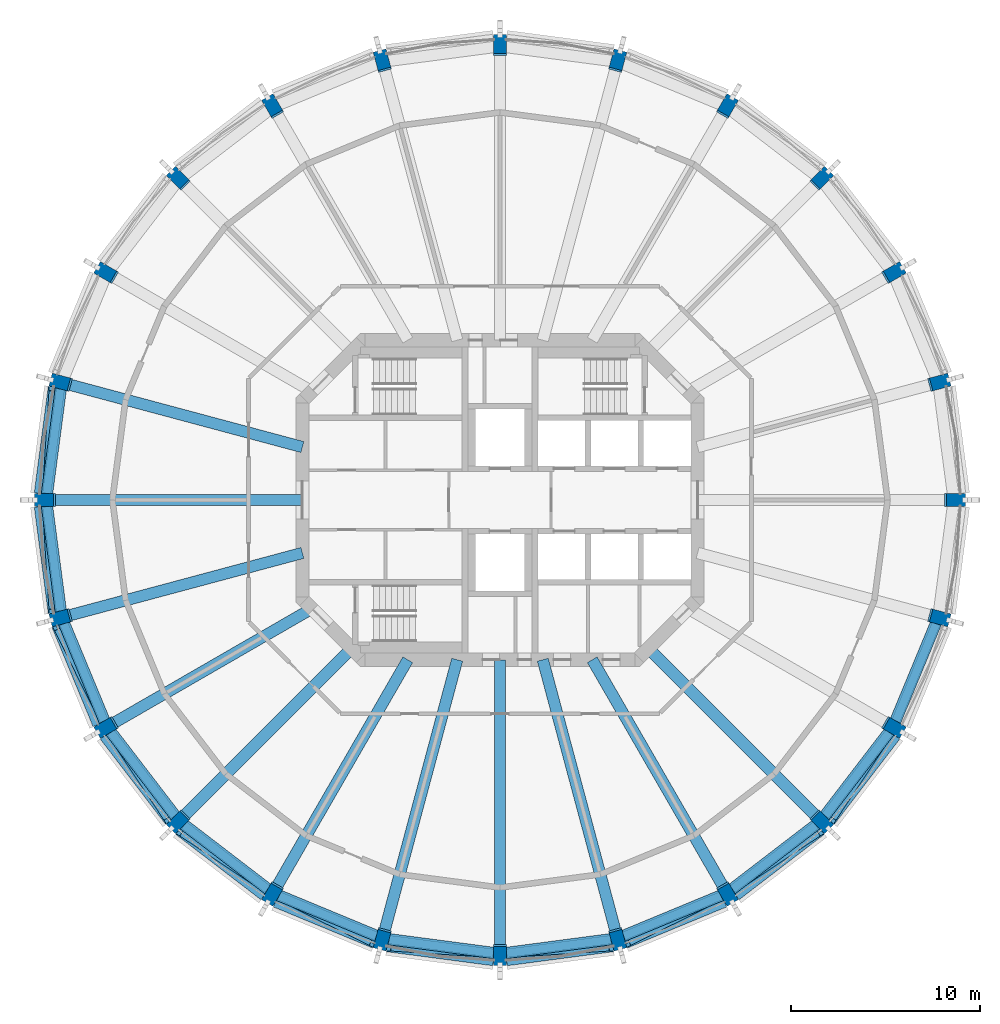
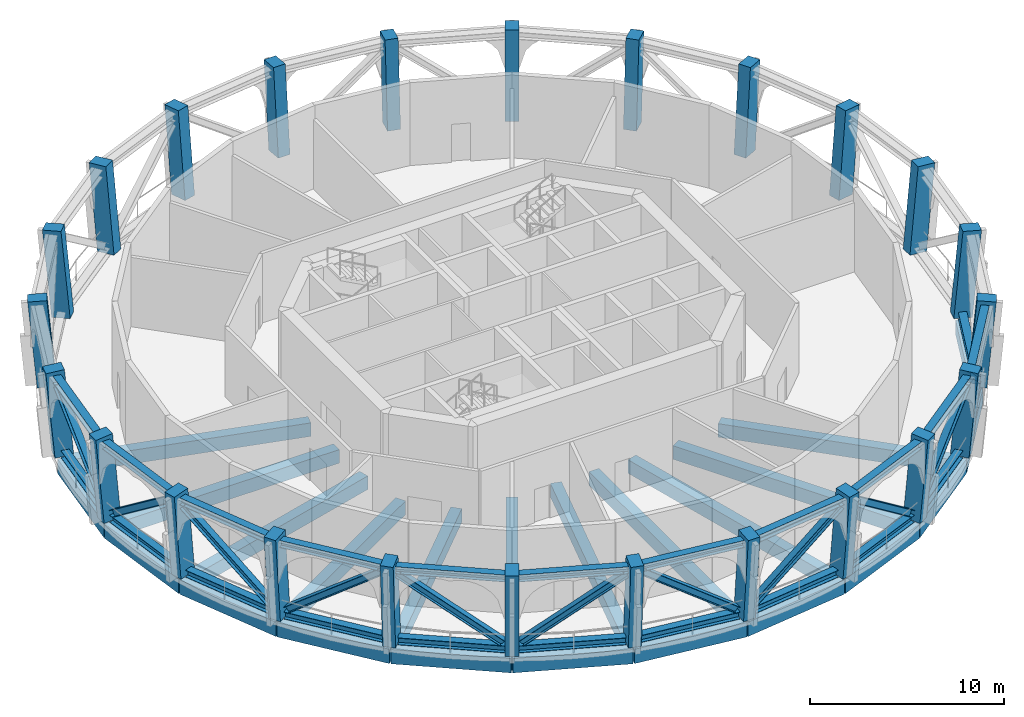
# One storey, part 1 of 9: 34 members, 24 columns, 23 beams.
"""IFC4 building model written with IfcOpenShell, lengths in metres."""

from ifc_helpers import new_model, si_unit, direction, frame, origin, origin_2d, place, context, subcontext, project, spatial, rectangle, i_section, extrude, material, material_profile, profile_set, type_object, element, save


model = new_model("IFC4")

# Units and contexts
model_context = context("Model", 3, precision=1e-05, world=origin(), true_north=direction((0.0, 1.0)))
body_context = subcontext(model_context, "Body", "Model", "MODEL_VIEW")
ifc_project = project(units=[si_unit("LENGTHUNIT", "METRE"), si_unit("AREAUNIT", "SQUARE_METRE"), si_unit("VOLUMEUNIT", "CUBIC_METRE"), si_unit("PLANEANGLEUNIT", "RADIAN"), si_unit("MASSUNIT", "GRAM", prefix="KILO")], contexts=[model_context])

# Site, building, storey
site_placement = place(None, origin())
site = spatial("IfcSite", under=ifc_project, at=site_placement, CompositionType="ELEMENT")
building_placement = place(site_placement, origin())
building = spatial("IfcBuilding", under=site, at=building_placement, Name="Torre Triforio", CompositionType="ELEMENT")
storey_placement = place(building_placement, frame((0.0, 0.0, 248.300048828125)))
storey = spatial("IfcBuildingStorey", under=building, at=storey_placement, Name="L57", CompositionType="ELEMENT", Elevation=248.300048828125)

# Columns
ifc_material_1 = material(Name="Concrete C50", Category="concrete")
ifc_material_profile_1 = material_profile(ifc_material_1, rectangle(XDim=0.699951171875, YDim=1.0, at=origin_2d()), Name="RC 700x1000")
ifc_profile_set_1 = profile_set([ifc_material_profile_1], Name="Concrete C50")
column_type = type_object("IfcColumnType", Name="Pier RC 700x1000 C50", PredefinedType="COLUMN", material=ifc_profile_set_1)
for number, where, z_axis, x_axis, name in (
    (1, (24.004150390625, 0.0, 0.045166015625), (0.090523588196, 0.0, 0.995894311652), (0.0, 1.0, 0.0), "COL.R.L57.00"),
    (2, (23.186279296875, 6.212646484375, 0.045166015625), (0.087422294551, 0.023462435864, 0.995895002758), (-0.259207652095, 0.965821615566, 0.0), "COL.R.L57.01"),
    (3, (20.7880859375, 12.001953125, 0.045166015625), (0.07843241344, 0.045306517334, 0.995889389445), (-0.500194922027, 0.865912836248, 0.0), "COL.R.L57.02"),
    (4, (16.973388671875, 16.973388671875, 0.045166015625), (0.064049381648, 0.064049381648, 0.995889227485), (-0.707106781187, 0.707106781187, 0.0), "COL.R.L57.03"),
    (5, (12.001953125, 20.7880859375, 0.045166015625), (0.045306517334, 0.07843241344, 0.995889389445), (-0.865912836248, 0.500194922027, 0.0), "COL.R.L57.04"),
    (6, (6.212646484375, 23.186279296875, 0.045166015625), (0.023462435864, 0.087422294551, 0.995895002758), (-0.965821615566, 0.259207652095, 0.0), "COL.R.L57.05"),
    (7, (0.0, 24.004150390625, 0.045166015625), (0.0, 0.090523588196, 0.995894311652), (-1.0, 0.0, 0.0), "COL.R.L57.06"),
    (8, (-6.212646484375, 23.186279296875, 0.045166015625), (-0.023462435864, 0.087422294551, 0.995895002758), (-0.965821615566, -0.259207652095, 0.0), "COL.R.L57.07"),
    (9, (-12.001953125, 20.7880859375, 0.045166015625), (-0.045306517334, 0.07843241344, 0.995889389445), (-0.865912836248, -0.500194922027, 0.0), "COL.R.L57.08"),
    (10, (-16.973388671875, 16.973388671875, 0.045166015625), (-0.064049381648, 0.064049381648, 0.995889227485), (-0.707106781187, -0.707106781187, 0.0), "COL.R.L57.09"),
    (11, (-20.7880859375, 12.001953125, 0.045166015625), (-0.07843241344, 0.045306517334, 0.995889389445), (-0.500194922027, -0.865912836248, 0.0), "COL.R.L57.10"),
    (12, (-23.186279296875, 6.212646484375, 0.045166015625), (-0.087422294551, 0.023462435864, 0.995895002758), (-0.259207652095, -0.965821615566, 0.0), "COL.R.L57.11"),
    (13, (-24.004150390625, 0.0, 0.045166015625), (-0.090523588196, 0.0, 0.995894311652), (0.0, -1.0, 0.0), "COL.R.L57.12"),
    (14, (-23.186279296875, -6.212646484375, 0.045166015625), (-0.087422294551, -0.023462435864, 0.995895002758), (0.259207652095, -0.965821615566, 0.0), "COL.R.L57.13"),
    (15, (-20.7880859375, -12.001953125, 0.045166015625), (-0.07843241344, -0.045306517334, 0.995889389445), (0.500194922027, -0.865912836248, 0.0), "COL.R.L57.14"),
    (16, (-16.973388671875, -16.973388671875, 0.045166015625), (-0.064049381648, -0.064049381648, 0.995889227485), (0.707106781187, -0.707106781187, 0.0), "COL.R.L57.15"),
    (17, (-12.001953125, -20.7880859375, 0.045166015625), (-0.045306517334, -0.07843241344, 0.995889389445), (0.865912836248, -0.500194922027, 0.0), "COL.R.L57.16"),
    (18, (-6.212646484375, -23.186279296875, 0.045166015625), (-0.023462435864, -0.087422294551, 0.995895002758), (0.965821615566, -0.259207652095, 0.0), "COL.R.L57.17"),
    (19, (0.0, -24.004150390625, 0.045166015625), (0.0, -0.090523588196, 0.995894311652), (1.0, 0.0, 0.0), "COL.R.L57.18"),
    (20, (6.212646484375, -23.186279296875, 0.045166015625), (0.023462435864, -0.087422294551, 0.995895002758), (0.965821615566, 0.259207652095, 0.0), "COL.R.L57.19"),
    (21, (12.001953125, -20.7880859375, 0.045166015625), (0.045306517334, -0.07843241344, 0.995889389445), (0.865912836248, 0.500194922027, 0.0), "COL.R.L57.20"),
    (22, (16.973388671875, -16.973388671875, 0.045166015625), (0.064049381648, -0.064049381648, 0.995889227485), (0.707106781187, 0.707106781187, 0.0), "COL.R.L57.21"),
    (23, (20.7880859375, -12.001953125, 0.045166015625), (0.07843241344, -0.045306517334, 0.995889389445), (0.500194922027, 0.865912836248, 0.0), "COL.R.L57.22"),
    (24, (23.186279296875, -6.212646484375, 0.045166015625), (0.087422294551, -0.023462435864, 0.995895002758), (0.259207652095, 0.965821615566, 0.0), "COL.R.L57.23"),
):
    element("IfcColumn", number, at=place(storey_placement, frame(where, z_axis=z_axis, x_axis=x_axis)), inside=storey, type_object=column_type, Name=name, PredefinedType="COLUMN", context=body_context, shape_type="SweptSolid", body=[
        extrude(rectangle(XDim=0.699951171875, YDim=1.0, at=origin_2d()), origin(), (0.0, 0.0, 1.0), 5.431640625),
    ])

# Members
ifc_material_2 = material(Name="Steel ASTM A572 Gr 50", Category="steel")
ifc_material_profile_2 = material_profile(ifc_material_2, i_section(OverallWidth=0.449951171875, OverallDepth=0.449951171875, WebThickness=0.01611328125, FlangeThickness=0.0224609375, at=origin_2d()), Name="CS 450x209")
ifc_profile_set_2 = profile_set([ifc_material_profile_2], Name="Steel ASTM A572 Gr 50")
member_type_1 = type_object("IfcMemberType", Name="Belt truss chord CS 450x209", PredefinedType="CHORD", material=ifc_profile_set_2)
member_1_placement = place(storey_placement, frame((-23.248046875, 5.866943359375, 0.224853515625), z_axis=(-0.130528284424, -0.991444585928, 0.0), x_axis=(0.991444585928, -0.130528284424, 0.0)))
element("IfcMember", 25, at=member_1_placement, inside=storey, type_object=member_type_1, Name="BT.L57.11.CB", PredefinedType="CHORD", context=body_context, shape_type="SweptSolid", body=[
    extrude(i_section(OverallWidth=0.449951171875, OverallDepth=0.449951171875, WebThickness=0.01611328125, FlangeThickness=0.0224609375, at=origin_2d()), origin(), (0.0, 0.0, 1.0), 5.564453125),
])
member_2_placement = place(storey_placement, frame((-23.6669921875, 5.979248046875, 4.994873046875), z_axis=(-0.130504566698, -0.991447708188, 0.0), x_axis=(0.991447708188, -0.130504566698, 0.0)))
element("IfcMember", 26, at=member_2_placement, inside=storey, type_object=member_type_1, Name="BT.L57.11.CT", PredefinedType="CHORD", context=body_context, shape_type="SweptSolid", body=[
    extrude(i_section(OverallWidth=0.449951171875, OverallDepth=0.449951171875, WebThickness=0.01611328125, FlangeThickness=0.0224609375, at=origin_2d()), origin(), (0.0, 0.0, 1.0), 5.677734375),
])
member_3_placement = place(storey_placement, frame((-23.974365234375, -0.35009765625, 0.224853515625), z_axis=(0.130528284424, -0.991444585928, 0.0), x_axis=(0.991444585928, 0.130528284424, 0.0)))
element("IfcMember", 27, at=member_3_placement, inside=storey, type_object=member_type_1, Name="BT.L57.12.CB", PredefinedType="CHORD", context=body_context, shape_type="SweptSolid", body=[
    extrude(i_section(OverallWidth=0.449951171875, OverallDepth=0.449951171875, WebThickness=0.01611328125, FlangeThickness=0.0224609375, at=origin_2d()), origin(), (0.0, 0.0, 1.0), 5.564453125),
])
member_4_placement = place(storey_placement, frame((-24.407958984375, -0.35009765625, 4.994873046875), z_axis=(0.130504566698, -0.991447708188, 0.0), x_axis=(0.991447708188, 0.130504566698, 0.0)))
element("IfcMember", 28, at=member_4_placement, inside=storey, type_object=member_type_1, Name="BT.L57.12.CT", PredefinedType="CHORD", context=body_context, shape_type="SweptSolid", body=[
    extrude(i_section(OverallWidth=0.449951171875, OverallDepth=0.449951171875, WebThickness=0.01611328125, FlangeThickness=0.0224609375, at=origin_2d()), origin(), (0.0, 0.0, 1.0), 5.677734375),
])
member_5_placement = place(storey_placement, frame((-23.06689453125, -6.543212890625, 0.224853515625), z_axis=(0.382679875266, -0.923881005902, 0.0), x_axis=(0.923881005902, 0.382679875266, 0.0)))
element("IfcMember", 29, at=member_5_placement, inside=storey, type_object=member_type_1, Name="BT.L57.13.CB", PredefinedType="CHORD", context=body_context, shape_type="SweptSolid", body=[
    extrude(i_section(OverallWidth=0.449951171875, OverallDepth=0.449951171875, WebThickness=0.01611328125, FlangeThickness=0.0224609375, at=origin_2d()), origin(), (0.0, 0.0, 1.0), 5.564453125),
])
member_6_placement = place(storey_placement, frame((-23.48583984375, -6.6552734375, 4.994873046875), z_axis=(0.382691044292, -0.923876379511, 0.0), x_axis=(0.923876379511, 0.382691044292, 0.0)))
element("IfcMember", 30, at=member_6_placement, inside=storey, type_object=member_type_1, Name="BT.L57.13.CT", PredefinedType="CHORD", context=body_context, shape_type="SweptSolid", body=[
    extrude(i_section(OverallWidth=0.449951171875, OverallDepth=0.449951171875, WebThickness=0.01611328125, FlangeThickness=0.0224609375, at=origin_2d()), origin(), (0.0, 0.0, 1.0), 5.677734375),
])
member_7_placement = place(storey_placement, frame((-20.58740234375, -12.290283203125, 0.224853515625), z_axis=(0.608745580312, -0.793365501173, 0.0), x_axis=(0.793365501173, 0.608745580312, 0.0)))
element("IfcMember", 31, at=member_7_placement, inside=storey, type_object=member_type_1, Name="BT.L57.14.CB", PredefinedType="CHORD", context=body_context, shape_type="SweptSolid", body=[
    extrude(i_section(OverallWidth=0.449951171875, OverallDepth=0.449951171875, WebThickness=0.01611328125, FlangeThickness=0.0224609375, at=origin_2d()), origin(), (0.0, 0.0, 1.0), 5.564697265625),
])
member_8_placement = place(storey_placement, frame((-20.962890625, -12.507080078125, 4.994873046875), z_axis=(0.608756478072, -0.793357139254, 0.0), x_axis=(0.793357139254, 0.608756478072, 0.0)))
element("IfcMember", 32, at=member_8_placement, inside=storey, type_object=member_type_1, Name="BT.L57.14.CT", PredefinedType="CHORD", context=body_context, shape_type="SweptSolid", body=[
    extrude(i_section(OverallWidth=0.449951171875, OverallDepth=0.449951171875, WebThickness=0.01611328125, FlangeThickness=0.0224609375, at=origin_2d()), origin(), (0.0, 0.0, 1.0), 5.677734375),
])
member_9_placement = place(storey_placement, frame((-16.705078125, -17.199951171875, 0.224853515625), z_axis=(0.793365501173, -0.608745580312, 0.0), x_axis=(0.608745580312, 0.793365501173, 0.0)))
element("IfcMember", 33, at=member_9_placement, inside=storey, type_object=member_type_1, Name="BT.L57.15.CB", PredefinedType="CHORD", context=body_context, shape_type="SweptSolid", body=[
    extrude(i_section(OverallWidth=0.449951171875, OverallDepth=0.449951171875, WebThickness=0.01611328125, FlangeThickness=0.0224609375, at=origin_2d()), origin(), (0.0, 0.0, 1.0), 5.564697265625),
])
member_10_placement = place(storey_placement, frame((-17.011474609375, -17.506591796875, 4.994873046875), z_axis=(0.793357139254, -0.608756478072, 0.0), x_axis=(0.608756478072, 0.793357139254, 0.0)))
element("IfcMember", 34, at=member_10_placement, inside=storey, type_object=member_type_1, Name="BT.L57.15.CT", PredefinedType="CHORD", context=body_context, shape_type="SweptSolid", body=[
    extrude(i_section(OverallWidth=0.449951171875, OverallDepth=0.449951171875, WebThickness=0.01611328125, FlangeThickness=0.0224609375, at=origin_2d()), origin(), (0.0, 0.0, 1.0), 5.677734375),
])
member_11_placement = place(storey_placement, frame((-11.68408203125, -20.9375, 0.224853515625), z_axis=(0.923881005902, -0.382679875266, 0.0), x_axis=(0.382679875266, 0.923881005902, 0.0)))
element("IfcMember", 35, at=member_11_placement, inside=storey, type_object=member_type_1, Name="BT.L57.16.CB", PredefinedType="CHORD", context=body_context, shape_type="SweptSolid", body=[
    extrude(i_section(OverallWidth=0.449951171875, OverallDepth=0.449951171875, WebThickness=0.01611328125, FlangeThickness=0.0224609375, at=origin_2d()), origin(), (0.0, 0.0, 1.0), 5.564453125),
])
member_12_placement = place(storey_placement, frame((-11.90087890625, -21.31298828125, 4.994873046875), z_axis=(0.923876379511, -0.382691044292, 0.0), x_axis=(0.382691044292, 0.923876379511, 0.0)))
element("IfcMember", 36, at=member_12_placement, inside=storey, type_object=member_type_1, Name="BT.L57.16.CT", PredefinedType="CHORD", context=body_context, shape_type="SweptSolid", body=[
    extrude(i_section(OverallWidth=0.449951171875, OverallDepth=0.449951171875, WebThickness=0.01611328125, FlangeThickness=0.0224609375, at=origin_2d()), origin(), (0.0, 0.0, 1.0), 5.677734375),
])
member_13_placement = place(storey_placement, frame((-5.866943359375, -23.248046875, 0.224853515625), z_axis=(0.991444585928, -0.130528284424, 0.0), x_axis=(0.130528284424, 0.991444585928, 0.0)))
element("IfcMember", 37, at=member_13_placement, inside=storey, type_object=member_type_1, Name="BT.L57.17.CB", PredefinedType="CHORD", context=body_context, shape_type="SweptSolid", body=[
    extrude(i_section(OverallWidth=0.449951171875, OverallDepth=0.449951171875, WebThickness=0.01611328125, FlangeThickness=0.0224609375, at=origin_2d()), origin(), (0.0, 0.0, 1.0), 5.564453125),
])
member_14_placement = place(storey_placement, frame((-5.979248046875, -23.6669921875, 4.994873046875), z_axis=(0.991447708188, -0.130504566698, 0.0), x_axis=(0.130504566698, 0.991447708188, 0.0)))
element("IfcMember", 38, at=member_14_placement, inside=storey, type_object=member_type_1, Name="BT.L57.17.CT", PredefinedType="CHORD", context=body_context, shape_type="SweptSolid", body=[
    extrude(i_section(OverallWidth=0.449951171875, OverallDepth=0.449951171875, WebThickness=0.01611328125, FlangeThickness=0.0224609375, at=origin_2d()), origin(), (0.0, 0.0, 1.0), 5.677734375),
])
member_15_placement = place(storey_placement, frame((0.35009765625, -23.974365234375, 0.224853515625), z_axis=(0.991444585928, 0.130528284424, 0.0), x_axis=(-0.130528284424, 0.991444585928, 0.0)))
element("IfcMember", 39, at=member_15_placement, inside=storey, type_object=member_type_1, Name="BT.L57.18.CB", PredefinedType="CHORD", context=body_context, shape_type="SweptSolid", body=[
    extrude(i_section(OverallWidth=0.449951171875, OverallDepth=0.449951171875, WebThickness=0.01611328125, FlangeThickness=0.0224609375, at=origin_2d()), origin(), (0.0, 0.0, 1.0), 5.564453125),
])
member_16_placement = place(storey_placement, frame((0.35009765625, -24.407958984375, 4.994873046875), z_axis=(0.991447708188, 0.130504566698, 0.0), x_axis=(-0.130504566698, 0.991447708188, 0.0)))
element("IfcMember", 40, at=member_16_placement, inside=storey, type_object=member_type_1, Name="BT.L57.18.CT", PredefinedType="CHORD", context=body_context, shape_type="SweptSolid", body=[
    extrude(i_section(OverallWidth=0.449951171875, OverallDepth=0.449951171875, WebThickness=0.01611328125, FlangeThickness=0.0224609375, at=origin_2d()), origin(), (0.0, 0.0, 1.0), 5.677734375),
])
member_17_placement = place(storey_placement, frame((6.543212890625, -23.06689453125, 0.224853515625), z_axis=(0.923881005902, 0.382679875266, 0.0), x_axis=(-0.382679875266, 0.923881005902, 0.0)))
element("IfcMember", 41, at=member_17_placement, inside=storey, type_object=member_type_1, Name="BT.L57.19.CB", PredefinedType="CHORD", context=body_context, shape_type="SweptSolid", body=[
    extrude(i_section(OverallWidth=0.449951171875, OverallDepth=0.449951171875, WebThickness=0.01611328125, FlangeThickness=0.0224609375, at=origin_2d()), origin(), (0.0, 0.0, 1.0), 5.564453125),
])
member_18_placement = place(storey_placement, frame((6.6552734375, -23.48583984375, 4.994873046875), z_axis=(0.923876379511, 0.382691044292, 0.0), x_axis=(-0.382691044292, 0.923876379511, 0.0)))
element("IfcMember", 42, at=member_18_placement, inside=storey, type_object=member_type_1, Name="BT.L57.19.CT", PredefinedType="CHORD", context=body_context, shape_type="SweptSolid", body=[
    extrude(i_section(OverallWidth=0.449951171875, OverallDepth=0.449951171875, WebThickness=0.01611328125, FlangeThickness=0.0224609375, at=origin_2d()), origin(), (0.0, 0.0, 1.0), 5.677734375),
])
member_19_placement = place(storey_placement, frame((12.290283203125, -20.58740234375, 0.224853515625), z_axis=(0.793365501173, 0.608745580312, 0.0), x_axis=(-0.608745580312, 0.793365501173, 0.0)))
element("IfcMember", 43, at=member_19_placement, inside=storey, type_object=member_type_1, Name="BT.L57.20.CB", PredefinedType="CHORD", context=body_context, shape_type="SweptSolid", body=[
    extrude(i_section(OverallWidth=0.449951171875, OverallDepth=0.449951171875, WebThickness=0.01611328125, FlangeThickness=0.0224609375, at=origin_2d()), origin(), (0.0, 0.0, 1.0), 5.564697265625),
])
member_20_placement = place(storey_placement, frame((12.507080078125, -20.962890625, 4.994873046875), z_axis=(0.793357139254, 0.608756478072, 0.0), x_axis=(-0.608756478072, 0.793357139254, 0.0)))
element("IfcMember", 44, at=member_20_placement, inside=storey, type_object=member_type_1, Name="BT.L57.20.CT", PredefinedType="CHORD", context=body_context, shape_type="SweptSolid", body=[
    extrude(i_section(OverallWidth=0.449951171875, OverallDepth=0.449951171875, WebThickness=0.01611328125, FlangeThickness=0.0224609375, at=origin_2d()), origin(), (0.0, 0.0, 1.0), 5.677734375),
])
member_21_placement = place(storey_placement, frame((17.199951171875, -16.705078125, 0.224853515625), z_axis=(0.608745580312, 0.793365501173, 0.0), x_axis=(-0.793365501173, 0.608745580312, 0.0)))
element("IfcMember", 45, at=member_21_placement, inside=storey, type_object=member_type_1, Name="BT.L57.21.CB", PredefinedType="CHORD", context=body_context, shape_type="SweptSolid", body=[
    extrude(i_section(OverallWidth=0.449951171875, OverallDepth=0.449951171875, WebThickness=0.01611328125, FlangeThickness=0.0224609375, at=origin_2d()), origin(), (0.0, 0.0, 1.0), 5.564697265625),
])
member_22_placement = place(storey_placement, frame((17.506591796875, -17.011474609375, 4.994873046875), z_axis=(0.608756478072, 0.793357139254, 0.0), x_axis=(-0.793357139254, 0.608756478072, 0.0)))
element("IfcMember", 46, at=member_22_placement, inside=storey, type_object=member_type_1, Name="BT.L57.21.CT", PredefinedType="CHORD", context=body_context, shape_type="SweptSolid", body=[
    extrude(i_section(OverallWidth=0.449951171875, OverallDepth=0.449951171875, WebThickness=0.01611328125, FlangeThickness=0.0224609375, at=origin_2d()), origin(), (0.0, 0.0, 1.0), 5.677734375),
])
member_23_placement = place(storey_placement, frame((20.9375, -11.68408203125, 0.224853515625), z_axis=(0.382679875266, 0.923881005902, 0.0), x_axis=(-0.923881005902, 0.382679875266, 0.0)))
element("IfcMember", 47, at=member_23_placement, inside=storey, type_object=member_type_1, Name="BT.L57.22.CB", PredefinedType="CHORD", context=body_context, shape_type="SweptSolid", body=[
    extrude(i_section(OverallWidth=0.449951171875, OverallDepth=0.449951171875, WebThickness=0.01611328125, FlangeThickness=0.0224609375, at=origin_2d()), origin(), (0.0, 0.0, 1.0), 5.564453125),
])
ifc_material_profile_3 = material_profile(ifc_material_2, i_section(OverallWidth=0.39990234375, OverallDepth=0.39990234375, WebThickness=0.01611328125, FlangeThickness=0.01904296875, at=origin_2d()), Name="CS 400x165")
ifc_profile_set_3 = profile_set([ifc_material_profile_3], Name="Steel ASTM A572 Gr 50")
member_type_2 = type_object("IfcMemberType", Name="Belt truss diagonal CS 400x165", PredefinedType="BRACE", material=ifc_profile_set_3)
for number, where, z_axis, x_axis, name in (
    (48, (-23.64892578125, 5.883056640625, 4.65869140625), (-0.050369616876, -0.797578556996, -0.601108432079), (0.998011783612, -0.063027611183, 0.0), "BT.L57.11.D"),
    (49, (-23.99267578125, -0.43994140625, 0.556396484375), (0.050369616876, -0.797578556996, 0.601108432079), (0.998011783612, 0.063027611183, 0.0), "BT.L57.12.D"),
    (50, (-23.422119140625, -6.729736328125, 4.65869140625), (0.355163982824, -0.715908705104, -0.601110032574), (0.895819469694, 0.444418133876, 0.0), "BT.L57.13.D"),
):
    element("IfcMember", number, at=place(storey_placement, frame(where, z_axis=z_axis, x_axis=x_axis)), inside=storey, type_object=member_type_2, Name=name, PredefinedType="BRACE", context=body_context, shape_type="SweptSolid", body=[
        extrude(i_section(OverallWidth=0.39990234375, OverallDepth=0.39990234375, WebThickness=0.01611328125, FlangeThickness=0.01904296875, at=origin_2d()), origin(), (0.0, 0.0, 1.0), 6.824462890625),
    ])
for number, where, z_axis, x_axis, name in (
    (51, (-20.558349609375, -12.377197265625, 0.556396484375), (0.442404415832, -0.665556251035, 0.60109334513), (0.832800159666, 0.553573747626, 0.0), "BT.L57.14.D"),
    (52, (-16.91943359375, -17.5390625, 4.65869140625), (0.665556251035, -0.442404415832, -0.60109334513), (0.553573747626, 0.832800159666, 0.0), "BT.L57.15.D"),
):
    element("IfcMember", number, at=place(storey_placement, frame(where, z_axis=z_axis, x_axis=x_axis)), inside=storey, type_object=member_type_2, Name=name, PredefinedType="BRACE", context=body_context, shape_type="SweptSolid", body=[
        extrude(i_section(OverallWidth=0.39990234375, OverallDepth=0.39990234375, WebThickness=0.01611328125, FlangeThickness=0.01904296875, at=origin_2d()), origin(), (0.0, 0.0, 1.0), 6.82470703125),
    ])
for number, where, z_axis, x_axis, name in (
    (53, (-11.615478515625, -20.998291015625, 0.556396484375), (0.715908705104, -0.355163982824, 0.601110032574), (0.444418133876, 0.895819469694, 0.0), "BT.L57.16.D"),
    (54, (-5.883056640625, -23.64892578125, 4.65869140625), (0.797578556996, -0.050369616876, -0.601108432079), (0.063027611183, 0.998011783612, 0.0), "BT.L57.17.D"),
    (55, (0.43994140625, -23.99267578125, 0.556396484375), (0.797578556996, 0.050369616876, 0.601108432079), (-0.063027611183, 0.998011783612, 0.0), "BT.L57.18.D"),
    (56, (6.729736328125, -23.422119140625, 4.65869140625), (0.715908705104, 0.355163982824, -0.601110032574), (-0.444418133876, 0.895819469694, 0.0), "BT.L57.19.D"),
):
    element("IfcMember", number, at=place(storey_placement, frame(where, z_axis=z_axis, x_axis=x_axis)), inside=storey, type_object=member_type_2, Name=name, PredefinedType="BRACE", context=body_context, shape_type="SweptSolid", body=[
        extrude(i_section(OverallWidth=0.39990234375, OverallDepth=0.39990234375, WebThickness=0.01611328125, FlangeThickness=0.01904296875, at=origin_2d()), origin(), (0.0, 0.0, 1.0), 6.824462890625),
    ])
for number, where, z_axis, x_axis, name in (
    (57, (12.377197265625, -20.558349609375, 0.556396484375), (0.665556251035, 0.442404415832, 0.60109334513), (-0.553573747626, 0.832800159666, 0.0), "BT.L57.20.D"),
    (58, (17.5390625, -16.91943359375, 4.65869140625), (0.442404415832, 0.665556251035, -0.60109334513), (-0.832800159666, 0.553573747626, 0.0), "BT.L57.21.D"),
):
    element("IfcMember", number, at=place(storey_placement, frame(where, z_axis=z_axis, x_axis=x_axis)), inside=storey, type_object=member_type_2, Name=name, PredefinedType="BRACE", context=body_context, shape_type="SweptSolid", body=[
        extrude(i_section(OverallWidth=0.39990234375, OverallDepth=0.39990234375, WebThickness=0.01611328125, FlangeThickness=0.01904296875, at=origin_2d()), origin(), (0.0, 0.0, 1.0), 6.82470703125),
    ])

# Beams
ifc_material_3 = material(Name="Concrete C40", Category="concrete")
ifc_material_profile_4 = material_profile(ifc_material_3, rectangle(XDim=0.60009765625, YDim=0.85009765625, at=origin_2d()), Name="RC 600x850")
ifc_profile_set_4 = profile_set([ifc_material_profile_4], Name="Concrete C40")
beam_type_1 = type_object("IfcBeamType", Name="Radial beam RC 600x850 C40", PredefinedType="BEAM", material=ifc_profile_set_4)
beam_1_placement = place(storey_placement, frame((-10.449951171875, 2.800048828125, -0.705078125), z_axis=(-0.965924985096, 0.258822184459, 0.0), x_axis=(-0.258822184459, -0.965924985096, 0.0)))
element("IfcBeam", 59, at=beam_1_placement, inside=storey, type_object=beam_type_1, Name="BM.R.L57.11", PredefinedType="BEAM", context=body_context, shape_type="SweptSolid", body=[
    extrude(rectangle(XDim=0.60009765625, YDim=0.85009765625, at=origin_2d()), origin(), (0.0, 0.0, 1.0), 13.181396484375),
])
beam_2_placement = place(storey_placement, frame((-10.449951171875, 0.0, -0.705078125), z_axis=(-1.0, 0.0, 0.0), x_axis=(0.0, -1.0, 0.0)))
element("IfcBeam", 60, at=beam_2_placement, inside=storey, type_object=beam_type_1, Name="BM.R.L57.12", PredefinedType="BEAM", context=body_context, shape_type="SweptSolid", body=[
    extrude(rectangle(XDim=0.60009765625, YDim=0.85009765625, at=origin_2d()), origin(), (0.0, 0.0, 1.0), 13.550048828125),
])
beam_3_placement = place(storey_placement, frame((-10.449951171875, -2.800048828125, -0.705078125), z_axis=(-0.965924985096, -0.258822184459, 0.0), x_axis=(0.258822184459, -0.965924985096, 0.0)))
element("IfcBeam", 61, at=beam_3_placement, inside=storey, type_object=beam_type_1, Name="BM.R.L57.13", PredefinedType="BEAM", context=body_context, shape_type="SweptSolid", body=[
    extrude(rectangle(XDim=0.60009765625, YDim=0.85009765625, at=origin_2d()), origin(), (0.0, 0.0, 1.0), 13.181396484375),
])
beam_4_placement = place(storey_placement, frame((-9.9501953125, -5.744873046875, -0.705078125), z_axis=(-0.866030898433, -0.499990482869, 0.0), x_axis=(0.499990482869, -0.866030898433, 0.0)))
element("IfcBeam", 62, at=beam_4_placement, inside=storey, type_object=beam_type_1, Name="BM.R.L57.14", PredefinedType="BEAM", context=body_context, shape_type="SweptSolid", body=[
    extrude(rectangle(XDim=0.60009765625, YDim=0.85009765625, at=origin_2d()), origin(), (0.0, 0.0, 1.0), 12.510498046875),
])
beam_5_placement = place(storey_placement, frame((-7.847412109375, -7.847412109375, -0.705078125), z_axis=(-0.707106781187, -0.707106781187, 0.0), x_axis=(0.707106781187, -0.707106781187, 0.0)))
element("IfcBeam", 63, at=beam_5_placement, inside=storey, type_object=beam_type_1, Name="BM.R.L57.15", PredefinedType="BEAM", context=body_context, shape_type="SweptSolid", body=[
    extrude(rectangle(XDim=0.60009765625, YDim=0.85009765625, at=origin_2d()), origin(), (0.0, 0.0, 1.0), 12.90185546875),
])
beam_6_placement = place(storey_placement, frame((-4.878662109375, -8.449951171875, -0.705078125), z_axis=(-0.499993987895, -0.866028874847, 0.0), x_axis=(0.866028874847, -0.499993987895, 0.0)))
element("IfcBeam", 64, at=beam_6_placement, inside=storey, type_object=beam_type_1, Name="BM.R.L57.16", PredefinedType="BEAM", context=body_context, shape_type="SweptSolid", body=[
    extrude(rectangle(XDim=0.60009765625, YDim=0.85009765625, at=origin_2d()), origin(), (0.0, 0.0, 1.0), 14.242919921875),
])
beam_7_placement = place(storey_placement, frame((-2.26416015625, -8.449951171875, -0.705078125), z_axis=(-0.258821164091, -0.965925258505, 0.0), x_axis=(0.965925258505, -0.258821164091, 0.0)))
element("IfcBeam", 65, at=beam_7_placement, inside=storey, type_object=beam_type_1, Name="BM.R.L57.17", PredefinedType="BEAM", context=body_context, shape_type="SweptSolid", body=[
    extrude(rectangle(XDim=0.60009765625, YDim=0.85009765625, at=origin_2d()), origin(), (0.0, 0.0, 1.0), 15.251953125),
])
beam_8_placement = place(storey_placement, frame((0.0, -8.449951171875, -0.705078125), z_axis=(0.0, -1.0, 0.0), x_axis=(1.0, 0.0, 0.0)))
element("IfcBeam", 66, at=beam_8_placement, inside=storey, type_object=beam_type_1, Name="BM.R.L57.18", PredefinedType="BEAM", context=body_context, shape_type="SweptSolid", body=[
    extrude(rectangle(XDim=0.60009765625, YDim=0.85009765625, at=origin_2d()), origin(), (0.0, 0.0, 1.0), 15.550048828125),
])
beam_9_placement = place(storey_placement, frame((2.26416015625, -8.449951171875, -0.705078125), z_axis=(0.258821164091, -0.965925258505, 0.0), x_axis=(0.965925258505, 0.258821164091, 0.0)))
element("IfcBeam", 67, at=beam_9_placement, inside=storey, type_object=beam_type_1, Name="BM.R.L57.19", PredefinedType="BEAM", context=body_context, shape_type="SweptSolid", body=[
    extrude(rectangle(XDim=0.60009765625, YDim=0.85009765625, at=origin_2d()), origin(), (0.0, 0.0, 1.0), 15.251953125),
])
beam_10_placement = place(storey_placement, frame((4.878662109375, -8.449951171875, -0.705078125), z_axis=(0.499993987895, -0.866028874847, 0.0), x_axis=(0.866028874847, 0.499993987895, 0.0)))
element("IfcBeam", 68, at=beam_10_placement, inside=storey, type_object=beam_type_1, Name="BM.R.L57.20", PredefinedType="BEAM", context=body_context, shape_type="SweptSolid", body=[
    extrude(rectangle(XDim=0.60009765625, YDim=0.85009765625, at=origin_2d()), origin(), (0.0, 0.0, 1.0), 14.242919921875),
])
beam_11_placement = place(storey_placement, frame((7.847412109375, -7.847412109375, -0.705078125), z_axis=(0.707106781187, -0.707106781187, 0.0), x_axis=(0.707106781187, 0.707106781187, 0.0)))
element("IfcBeam", 69, at=beam_11_placement, inside=storey, type_object=beam_type_1, Name="BM.R.L57.21", PredefinedType="BEAM", context=body_context, shape_type="SweptSolid", body=[
    extrude(rectangle(XDim=0.60009765625, YDim=0.85009765625, at=origin_2d()), origin(), (0.0, 0.0, 1.0), 12.90185546875),
])
ifc_material_profile_5 = material_profile(ifc_material_3, rectangle(XDim=0.60009765625, YDim=0.89990234375, at=origin_2d()), Name="RC 600x900")
ifc_profile_set_5 = profile_set([ifc_material_profile_5], Name="Concrete C40")
beam_type_2 = type_object("IfcBeamType", Name="Spandrel beam RC 600x900 C40", PredefinedType="SPANDREL", material=ifc_profile_set_5)
for number, where, z_axis, x_axis, name in (
    (70, (-23.18212890625, 6.211669921875, -0.72998046875), (-0.130540192224, -0.991443018138, 0.0), (0.991443018138, -0.130540192224, 0.0), "BM.S.L57.11"),
    (71, (-24.0, 0.0, -0.72998046875), (0.130540192224, -0.991443018138, 0.0), (0.991443018138, 0.130540192224, 0.0), "BM.S.L57.12"),
):
    element("IfcBeam", number, at=place(storey_placement, frame(where, z_axis=z_axis, x_axis=x_axis)), inside=storey, type_object=beam_type_2, Name=name, PredefinedType="SPANDREL", context=body_context, shape_type="SweptSolid", body=[
        extrude(rectangle(XDim=0.60009765625, YDim=0.89990234375, at=origin_2d()), origin(), (0.0, 0.0, 1.0), 6.265380859375),
    ])
beam_12_placement = place(storey_placement, frame((-23.18212890625, -6.211669921875, -0.72998046875), z_axis=(0.382663829839, -0.9238876519, 0.0), x_axis=(0.9238876519, 0.382663829839, 0.0)))
element("IfcBeam", 72, at=beam_12_placement, inside=storey, type_object=beam_type_2, Name="BM.S.L57.13", PredefinedType="SPANDREL", context=body_context, shape_type="SweptSolid", body=[
    extrude(rectangle(XDim=0.60009765625, YDim=0.89990234375, at=origin_2d()), origin(), (0.0, 0.0, 1.0), 6.26513671875),
])
for number, where, z_axis, x_axis, name in (
    (73, (-20.78466796875, -12.0, -0.72998046875), (0.608785706196, -0.79333471116, 0.0), (0.79333471116, 0.608785706196, 0.0), "BM.S.L57.14"),
    (74, (-16.970458984375, -16.970458984375, -0.72998046875), (0.79333471116, -0.608785706196, 0.0), (0.608785706196, 0.79333471116, 0.0), "BM.S.L57.15"),
):
    element("IfcBeam", number, at=place(storey_placement, frame(where, z_axis=z_axis, x_axis=x_axis)), inside=storey, type_object=beam_type_2, Name=name, PredefinedType="SPANDREL", context=body_context, shape_type="SweptSolid", body=[
        extrude(rectangle(XDim=0.60009765625, YDim=0.89990234375, at=origin_2d()), origin(), (0.0, 0.0, 1.0), 6.265380859375),
    ])
beam_13_placement = place(storey_placement, frame((-12.0, -20.78466796875, -0.72998046875), z_axis=(0.9238876519, -0.382663829839, 0.0), x_axis=(0.382663829839, 0.9238876519, 0.0)))
element("IfcBeam", 75, at=beam_13_placement, inside=storey, type_object=beam_type_2, Name="BM.S.L57.16", PredefinedType="SPANDREL", context=body_context, shape_type="SweptSolid", body=[
    extrude(rectangle(XDim=0.60009765625, YDim=0.89990234375, at=origin_2d()), origin(), (0.0, 0.0, 1.0), 6.26513671875),
])
for number, where, z_axis, x_axis, name in (
    (76, (-6.211669921875, -23.18212890625, -0.72998046875), (0.991443018138, -0.130540192224, 0.0), (0.130540192224, 0.991443018138, 0.0), "BM.S.L57.17"),
    (77, (0.0, -24.0, -0.72998046875), (0.991443018138, 0.130540192224, 0.0), (-0.130540192224, 0.991443018138, 0.0), "BM.S.L57.18"),
):
    element("IfcBeam", number, at=place(storey_placement, frame(where, z_axis=z_axis, x_axis=x_axis)), inside=storey, type_object=beam_type_2, Name=name, PredefinedType="SPANDREL", context=body_context, shape_type="SweptSolid", body=[
        extrude(rectangle(XDim=0.60009765625, YDim=0.89990234375, at=origin_2d()), origin(), (0.0, 0.0, 1.0), 6.265380859375),
    ])
beam_14_placement = place(storey_placement, frame((6.211669921875, -23.18212890625, -0.72998046875), z_axis=(0.9238876519, 0.382663829839, 0.0), x_axis=(-0.382663829839, 0.9238876519, 0.0)))
element("IfcBeam", 78, at=beam_14_placement, inside=storey, type_object=beam_type_2, Name="BM.S.L57.19", PredefinedType="SPANDREL", context=body_context, shape_type="SweptSolid", body=[
    extrude(rectangle(XDim=0.60009765625, YDim=0.89990234375, at=origin_2d()), origin(), (0.0, 0.0, 1.0), 6.26513671875),
])
for number, where, z_axis, x_axis, name in (
    (79, (12.0, -20.78466796875, -0.72998046875), (0.79333471116, 0.608785706196, 0.0), (-0.608785706196, 0.79333471116, 0.0), "BM.S.L57.20"),
    (80, (16.970458984375, -16.970458984375, -0.72998046875), (0.608785706196, 0.79333471116, 0.0), (-0.79333471116, 0.608785706196, 0.0), "BM.S.L57.21"),
):
    element("IfcBeam", number, at=place(storey_placement, frame(where, z_axis=z_axis, x_axis=x_axis)), inside=storey, type_object=beam_type_2, Name=name, PredefinedType="SPANDREL", context=body_context, shape_type="SweptSolid", body=[
        extrude(rectangle(XDim=0.60009765625, YDim=0.89990234375, at=origin_2d()), origin(), (0.0, 0.0, 1.0), 6.265380859375),
    ])
beam_15_placement = place(storey_placement, frame((20.78466796875, -12.0, -0.72998046875), z_axis=(0.382663829839, 0.9238876519, 0.0), x_axis=(-0.9238876519, 0.382663829839, 0.0)))
element("IfcBeam", 81, at=beam_15_placement, inside=storey, type_object=beam_type_2, Name="BM.S.L57.22", PredefinedType="SPANDREL", context=body_context, shape_type="SweptSolid", body=[
    extrude(rectangle(XDim=0.60009765625, YDim=0.89990234375, at=origin_2d()), origin(), (0.0, 0.0, 1.0), 6.26513671875),
])

save(model, "model.ifc")
